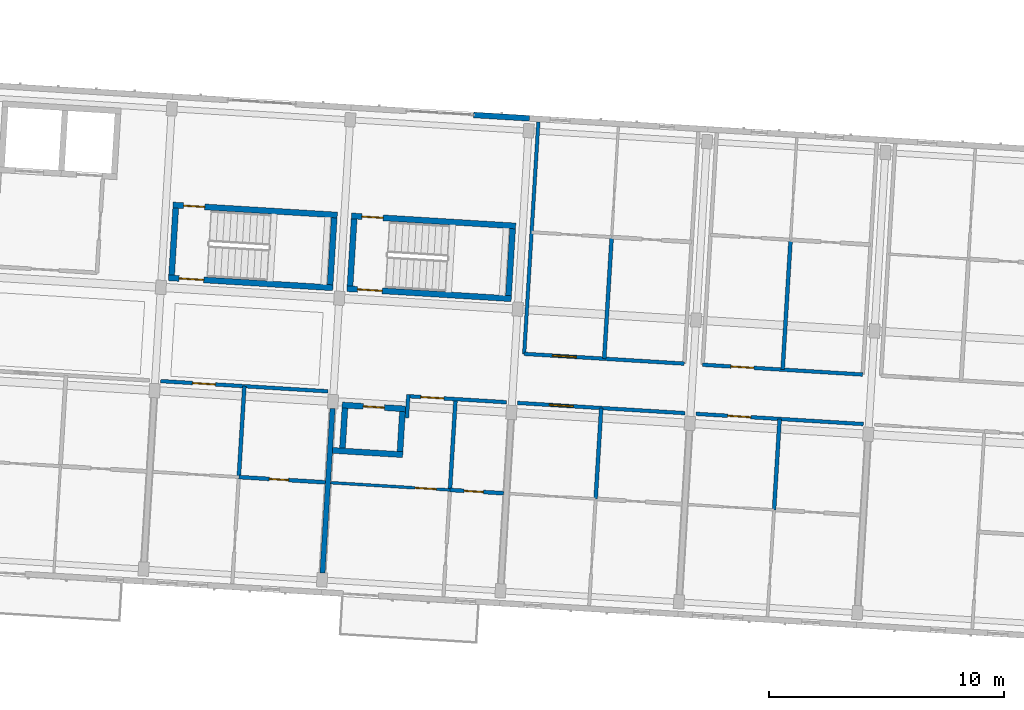
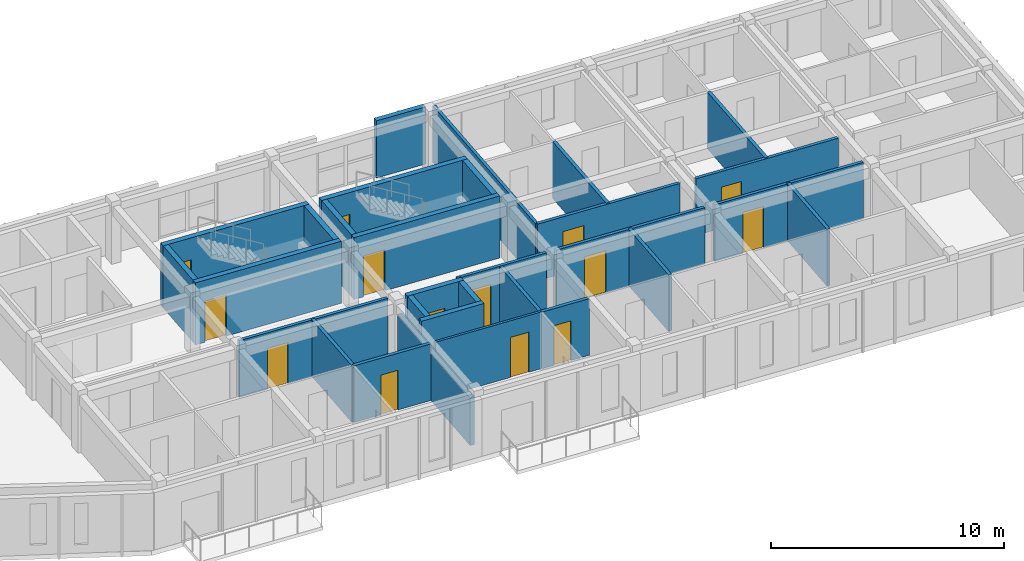
# One storey, part 25 of 65: 31 walls, 14 doors, 14 openings.
"""IFC4 building model written with IfcOpenShell, lengths in metres."""

from ifc_helpers import new_model, si_unit, direction, frame, frame_2d, origin, place, context, subcontext, project, spatial, rectangle, extrude, material, layer, layer_set, type_object, element, fill, save


model = new_model("IFC4")

# Units and contexts
model_context = context("Model", 3, precision=1e-05, world=origin(), true_north=direction((0.0, 1.0)))
body_context = subcontext(model_context, "Body", "Model", "MODEL_VIEW")
ifc_project = project(units=[si_unit("LENGTHUNIT", "METRE"), si_unit("AREAUNIT", "SQUARE_METRE"), si_unit("VOLUMEUNIT", "CUBIC_METRE"), si_unit("PLANEANGLEUNIT", "RADIAN"), si_unit("MASSUNIT", "GRAM", prefix="KILO")], contexts=[model_context])

# Site, building, storey
site_placement = place(None, origin())
site = spatial("IfcSite", under=ifc_project, at=site_placement, CompositionType="ELEMENT")
building_placement = place(site_placement, origin())
building = spatial("IfcBuilding", under=site, at=building_placement, Name="Kestramere Prow Commons", CompositionType="ELEMENT")
storey_placement = place(building_placement, frame((0.0, 0.0, 21.39990234375)))
storey = spatial("IfcBuildingStorey", under=building, at=storey_placement, Name="L06", CompositionType="ELEMENT", Elevation=21.39990234375)

# Wall
ifc_material_1 = material(Name="Fluoropolymer Standing-Seam Zinc-Aluminium Cladding", Category="aluminium")
ifc_layer_1 = layer(ifc_material_1, 0.239990234375)
ifc_layer_set_1 = layer_set([ifc_layer_1], Name="Fluoropolymer Standing-Seam Zinc-Aluminium Cladding")
wall_type_1 = type_object("IfcWallType", Name="EW-SEAM-240", PredefinedType="SOLIDWALL", material=ifc_layer_set_1)
wall_1_placement = place(storey_placement, frame((81.115478515625, 65.340576171875, 0.0), z_axis=(0.0, 0.0, 1.0), x_axis=(0.998134103342, -0.061059902923, 0.0)))
element("IfcWall", 1, at=wall_1_placement, inside=storey, type_object=wall_type_1, Name="Block C L06 North Standing-Seam Pier 3R", PredefinedType="SOLIDWALL", context=body_context, shape_type="SweptSolid", body=[
    extrude(rectangle(XDim=2.375, YDim=0.239990234375, at=frame_2d((1.1875, 0.0))), origin(), (0.0, 0.0, 1.0), 3.0),
])

# Wall, opening, door
ifc_material_2 = material(Name="Concrete C40/50", Category="concrete")
ifc_layer_2 = layer(ifc_material_2, 0.25)
ifc_layer_set_2 = layer_set([ifc_layer_2], Name="Concrete C40/50")
wall_type_2 = type_object("IfcWallType", Name="W-CORE-250", PredefinedType="SHEAR", material=ifc_layer_set_2)
wall_2_placement = place(storey_placement, frame((68.3330078125, 61.513671875, 0.0), z_axis=(0.0, 0.0, 1.0), x_axis=(0.998135676081, -0.061034188237, 0.0)))
wall_2 = element("IfcWall", 2, at=wall_2_placement, inside=storey, type_object=wall_type_2, Name="ST-C1 L06 North Shaft Wall", PredefinedType="SHEAR", context=body_context, shape_type="SweptSolid", body=[
    extrude(rectangle(XDim=7.0, YDim=0.25, at=frame_2d((3.5, 0.0))), origin(), (0.0, 0.0, 1.0), 3.25),
])
opening_1_placement = place(wall_2_placement, frame((0.449951171875, 0.0, 0.0)))
opening_1 = element("IfcOpeningElement", 3, at=opening_1_placement, cuts=wall_2, Name="Opening ID-08", PredefinedType="OPENING", context=body_context, shape_type="SweptSolid", body=[
    extrude(rectangle(XDim=0.89990234375, YDim=2.10009765625, at=frame_2d((0.449951171875, 1.050048828125))), frame((0.0, 0.139892578125, 0.0), z_axis=(0.0, -1.0, 0.0), x_axis=(1.0, 0.0, 0.0)), (0.0, 0.0, 1.0), 0.280029296875),
])
ifc_material_3 = material(Name="Engineered Timber Flush Door", Category="wood")
door_type_1 = type_object("IfcDoorType", Name="D-RM-01", OperationType="NOTDEFINED", PredefinedType="DOOR", material=ifc_material_3)
door_1_placement = place(opening_1_placement, origin())
door_1 = element("IfcDoor", 4, at=door_1_placement, inside=storey, type_object=door_type_1, Name="ST-C1 L06 North Room Door", OperationType="SINGLE_SWING_RIGHT", OverallHeight=2.10009765625, OverallWidth=0.89990234375, PredefinedType="DOOR", context=body_context, shape_type="SweptSolid", body=[
    extrude(rectangle(XDim=0.89990234375, YDim=2.10009765625, at=frame_2d((0.449951171875, 1.050048828125))), frame((0.0, 0.02490234375, 0.0), z_axis=(0.0, -1.0, 0.0), x_axis=(1.0, 0.0, 0.0)), (0.0, 0.0, 1.0), 0.050048828125),
])
fill(opening_1, door_1)

wall_3_placement = place(storey_placement, frame((68.143798828125, 58.41943359375, 0.0), z_axis=(0.0, 0.0, 1.0), x_axis=(0.998135546153, -0.061036313012, 0.0)))
wall_3 = element("IfcWall", 5, at=wall_3_placement, inside=storey, type_object=wall_type_2, Name="ST-C1 L06 Corridor Shaft Wall", PredefinedType="SHEAR", context=body_context, shape_type="SweptSolid", body=[
    extrude(rectangle(XDim=6.999755859375, YDim=0.25, at=frame_2d((3.5, 0.0))), origin(), (0.0, 0.0, 1.0), 3.25),
])
opening_2_placement = place(wall_3_placement, frame((0.449951171875, 0.0, 0.0)))
opening_2 = element("IfcOpeningElement", 6, at=opening_2_placement, cuts=wall_3, Name="Opening ID-01", PredefinedType="OPENING", context=body_context, shape_type="SweptSolid", body=[
    extrude(rectangle(XDim=1.050048828125, YDim=2.14990234375, at=frame_2d((0.52490234375, 1.074951171875))), frame((0.0, 0.139892578125, 0.0), z_axis=(0.0, -1.0, 0.0), x_axis=(1.0, 0.0, 0.0)), (0.0, 0.0, 1.0), 0.280029296875),
])
ifc_material_4 = material(Name="Fire-Rated Timber and Steel Frame", Category="steel")
door_type_2 = type_object("IfcDoorType", Name="FD-ST-01", OperationType="NOTDEFINED", PredefinedType="DOOR", material=ifc_material_4)
door_2_placement = place(opening_2_placement, origin())
door_2 = element("IfcDoor", 7, at=door_2_placement, inside=storey, type_object=door_type_2, Name="ST-C1 L06 Protected Stair Door", OperationType="SINGLE_SWING_LEFT", OverallHeight=2.14990234375, OverallWidth=1.050048828125, PredefinedType="DOOR", context=body_context, shape_type="SweptSolid", body=[
    extrude(rectangle(XDim=1.050048828125, YDim=2.14990234375, at=frame_2d((0.52490234375, 1.074951171875))), frame((0.0, 0.02490234375, 0.0), z_axis=(0.0, -1.0, 0.0), x_axis=(1.0, 0.0, 0.0)), (0.0, 0.0, 1.0), 0.050048828125),
])
fill(opening_2, door_2)

# Walls
for number, where, z_axis, x_axis, name in (
    (8, (68.276123046875, 58.53662109375, 0.0), (0.0, 0.0, 1.0), (0.06107697143, 0.998133059046, 0.0), "ST-C1 L06 Near Shaft Wall"),
    (9, (75.013671875, 58.12451171875, 0.0), (0.0, 0.0, 1.0), (0.060991628362, 0.99813827763, 0.0), "ST-C1 L06 Far Shaft Wall"),
):
    element("IfcWall", number, at=place(storey_placement, frame(where, z_axis=z_axis, x_axis=x_axis)), inside=storey, type_object=wall_type_2, Name=name, PredefinedType="SHEAR", context=body_context, shape_type="SweptSolid", body=[
        extrude(rectangle(XDim=2.85009765625, YDim=0.25, at=frame_2d((1.425048828125, 0.0))), origin(), (0.0, 0.0, 1.0), 3.25),
    ])

# Wall, opening, door
wall_4_placement = place(storey_placement, frame((75.9189453125, 61.0498046875, 0.0), z_axis=(0.0, 0.0, 1.0), x_axis=(0.998135546153, -0.061036313012, 0.0)))
wall_4 = element("IfcWall", 10, at=wall_4_placement, inside=storey, type_object=wall_type_2, Name="ST-C2 L06 North Shaft Wall", PredefinedType="SHEAR", context=body_context, shape_type="SweptSolid", body=[
    extrude(rectangle(XDim=6.999755859375, YDim=0.25, at=frame_2d((3.5, 0.0))), origin(), (0.0, 0.0, 1.0), 3.25),
])
opening_3_placement = place(wall_4_placement, frame((0.449951171875, 0.0, 0.0)))
opening_3 = element("IfcOpeningElement", 11, at=opening_3_placement, cuts=wall_4, Name="Opening ID-08", PredefinedType="OPENING", context=body_context, shape_type="SweptSolid", body=[
    extrude(rectangle(XDim=0.89990234375, YDim=2.10009765625, at=frame_2d((0.449951171875, 1.050048828125))), frame((0.0, 0.139892578125, 0.0), z_axis=(0.0, -1.0, 0.0), x_axis=(1.0, 0.0, 0.0)), (0.0, 0.0, 1.0), 0.280029296875),
])
door_3_placement = place(opening_3_placement, origin())
door_3 = element("IfcDoor", 12, at=door_3_placement, inside=storey, type_object=door_type_1, Name="ST-C2 L06 North Room Door", OperationType="SINGLE_SWING_RIGHT", OverallHeight=2.10009765625, OverallWidth=0.89990234375, PredefinedType="DOOR", context=body_context, shape_type="SweptSolid", body=[
    extrude(rectangle(XDim=0.89990234375, YDim=2.10009765625, at=frame_2d((0.449951171875, 1.050048828125))), frame((0.0, 0.02490234375, 0.0), z_axis=(0.0, -1.0, 0.0), x_axis=(1.0, 0.0, 0.0)), (0.0, 0.0, 1.0), 0.050048828125),
])
fill(opening_3, door_3)

wall_5_placement = place(storey_placement, frame((75.729736328125, 57.95556640625, 0.0), z_axis=(0.0, 0.0, 1.0), x_axis=(0.998135546153, -0.061036313012, 0.0)))
wall_5 = element("IfcWall", 13, at=wall_5_placement, inside=storey, type_object=wall_type_2, Name="ST-C2 L06 Corridor Shaft Wall", PredefinedType="SHEAR", context=body_context, shape_type="SweptSolid", body=[
    extrude(rectangle(XDim=6.999755859375, YDim=0.25, at=frame_2d((3.5, 0.0))), origin(), (0.0, 0.0, 1.0), 3.25),
])
opening_4_placement = place(wall_5_placement, frame((0.449951171875, 0.0, 0.0)))
opening_4 = element("IfcOpeningElement", 14, at=opening_4_placement, cuts=wall_5, Name="Opening ID-01", PredefinedType="OPENING", context=body_context, shape_type="SweptSolid", body=[
    extrude(rectangle(XDim=1.050048828125, YDim=2.14990234375, at=frame_2d((0.52490234375, 1.074951171875))), frame((0.0, 0.139892578125, 0.0), z_axis=(0.0, -1.0, 0.0), x_axis=(1.0, 0.0, 0.0)), (0.0, 0.0, 1.0), 0.280029296875),
])
door_4_placement = place(opening_4_placement, origin())
door_4 = element("IfcDoor", 15, at=door_4_placement, inside=storey, type_object=door_type_2, Name="ST-C2 L06 Protected Stair Door", OperationType="SINGLE_SWING_LEFT", OverallHeight=2.14990234375, OverallWidth=1.050048828125, PredefinedType="DOOR", context=body_context, shape_type="SweptSolid", body=[
    extrude(rectangle(XDim=1.050048828125, YDim=2.14990234375, at=frame_2d((0.52490234375, 1.074951171875))), frame((0.0, 0.02490234375, 0.0), z_axis=(0.0, -1.0, 0.0), x_axis=(1.0, 0.0, 0.0)), (0.0, 0.0, 1.0), 0.050048828125),
])
fill(opening_4, door_4)

# Walls
for number, where, z_axis, x_axis, name in (
    (16, (75.862060546875, 58.07275390625, 0.0), (0.0, 0.0, 1.0), (0.060991628362, 0.99813827763, 0.0), "ST-C2 L06 Near Shaft Wall"),
    (17, (82.599365234375, 57.66064453125, 0.0), (0.0, 0.0, 1.0), (0.06107697143, 0.998133059046, 0.0), "ST-C2 L06 Far Shaft Wall"),
):
    element("IfcWall", number, at=place(storey_placement, frame(where, z_axis=z_axis, x_axis=x_axis)), inside=storey, type_object=wall_type_2, Name=name, PredefinedType="SHEAR", context=body_context, shape_type="SweptSolid", body=[
        extrude(rectangle(XDim=2.85009765625, YDim=0.25, at=frame_2d((1.425048828125, 0.0))), origin(), (0.0, 0.0, 1.0), 3.25),
    ])

# Wall, opening, door
ifc_material_5 = material(Name="Fire-Rated Calcium Silicate Wall")
ifc_layer_3 = layer(ifc_material_5, 0.155029296875)
ifc_layer_set_3 = layer_set([ifc_layer_3], Name="Fire-Rated Calcium Silicate Wall")
wall_type_3 = type_object("IfcWallType", Name="W-FIRE-150", PredefinedType="PARTITIONING", material=ifc_layer_set_3)
wall_6_placement = place(storey_placement, frame((67.81005859375, 54.026611328125, 0.0), z_axis=(0.0, 0.0, 1.0), x_axis=(0.998136655722, -0.061018165369, 0.0)))
wall_6 = element("IfcWall", 18, at=wall_6_placement, inside=storey, type_object=wall_type_3, Name="Interior Partition PW-C-L06-CS-1", PredefinedType="PARTITIONING", context=body_context, shape_type="SweptSolid", body=[
    extrude(rectangle(XDim=7.1298828125, YDim=0.155029296875, at=frame_2d((3.56494140625, 0.0))), origin(), (0.0, 0.0, 1.0), 2.97021484375),
])
opening_5_placement = place(wall_6_placement, frame((1.35498046875, 0.0, 0.0)))
opening_5 = element("IfcOpeningElement", 19, at=opening_5_placement, cuts=wall_6, Name="Opening ID-04", PredefinedType="OPENING", context=body_context, shape_type="SweptSolid", body=[
    extrude(rectangle(XDim=0.97998046875, YDim=2.14990234375, at=frame_2d((0.489990234375, 1.074951171875))), frame((0.0, 0.092529296875, 0.0), z_axis=(0.0, -1.0, 0.0), x_axis=(1.0, 0.0, 0.0)), (0.0, 0.0, 1.0), 0.18505859375),
])
ifc_material_6 = material(Name="Hardwood Fire-Rated Flat Entrance Door", Category="wood")
door_type_3 = type_object("IfcDoorType", Name="FD-ENT-01", OperationType="NOTDEFINED", PredefinedType="DOOR", material=ifc_material_6)
door_5_placement = place(opening_5_placement, origin())
door_5 = element("IfcDoor", 20, at=door_5_placement, inside=storey, type_object=door_type_3, Name="Interior Door DR-C-L06-ENT-S1", OperationType="SINGLE_SWING_RIGHT", OverallHeight=2.14990234375, OverallWidth=0.97998046875, PredefinedType="DOOR", context=body_context, shape_type="SweptSolid", body=[
    extrude(rectangle(XDim=0.97998046875, YDim=2.14990234375, at=frame_2d((0.489990234375, 1.074951171875))), frame((0.0, 0.02490234375, 0.0), z_axis=(0.0, -1.0, 0.0), x_axis=(1.0, 0.0, 0.0)), (0.0, 0.0, 1.0), 0.050048828125),
])
fill(opening_5, door_5)

# Wall
wall_7_placement = place(storey_placement, frame((78.279052734375, 52.464599609375, 0.0), z_axis=(0.0, 0.0, 1.0), x_axis=(0.061095097219, 0.998131949742, 0.0)))
element("IfcWall", 21, at=wall_7_placement, inside=storey, type_object=wall_type_3, Name="Interior Partition PW-C-L06-HS-CLOSER", PredefinedType="PARTITIONING", context=body_context, shape_type="SweptSolid", body=[
    extrude(rectangle(XDim=0.9951171875, YDim=0.155029296875, at=frame_2d((0.49755859375, 0.0))), origin(), (0.0, 0.0, 1.0), 2.97021484375),
])

# Wall, opening, door
wall_8_placement = place(storey_placement, frame((78.415283203125, 53.378173828125, 0.0), z_axis=(0.0, 0.0, 1.0), x_axis=(0.998132736029, -0.061082250024, 0.0)))
wall_8 = element("IfcWall", 22, at=wall_8_placement, inside=storey, type_object=wall_type_3, Name="Interior Partition PW-C-L06-CS-2", PredefinedType="PARTITIONING", context=body_context, shape_type="SweptSolid", body=[
    extrude(rectangle(XDim=4.104736328125, YDim=0.155029296875, at=frame_2d((2.05224609375, 0.0))), origin(), (0.0, 0.0, 1.0), 2.97021484375),
])
opening_6_placement = place(wall_8_placement, frame((0.45703125, 0.0, 0.0)))
opening_6 = element("IfcOpeningElement", 23, at=opening_6_placement, cuts=wall_8, Name="Opening ID-04", PredefinedType="OPENING", context=body_context, shape_type="SweptSolid", body=[
    extrude(rectangle(XDim=0.97998046875, YDim=2.14990234375, at=frame_2d((0.489990234375, 1.074951171875))), frame((0.0, 0.092529296875, 0.0), z_axis=(0.0, -1.0, 0.0), x_axis=(1.0, 0.0, 0.0)), (0.0, 0.0, 1.0), 0.18505859375),
])
door_6_placement = place(opening_6_placement, origin())
door_6 = element("IfcDoor", 24, at=door_6_placement, inside=storey, type_object=door_type_3, Name="Interior Door DR-C-L06-ENT-S2", OperationType="SINGLE_SWING_LEFT", OverallHeight=2.14990234375, OverallWidth=0.97998046875, PredefinedType="DOOR", context=body_context, shape_type="SweptSolid", body=[
    extrude(rectangle(XDim=0.97998046875, YDim=2.14990234375, at=frame_2d((0.489990234375, 1.074951171875))), frame((0.0, 0.02490234375, 0.0), z_axis=(0.0, -1.0, 0.0), x_axis=(1.0, 0.0, 0.0)), (0.0, 0.0, 1.0), 0.050048828125),
])
fill(opening_6, door_6)

wall_9_placement = place(storey_placement, frame((82.981689453125, 53.098876953125, 0.0), z_axis=(0.0, 0.0, 1.0), x_axis=(0.998134569689, -0.061052279168, 0.0)))
wall_9 = element("IfcWall", 25, at=wall_9_placement, inside=storey, type_object=wall_type_3, Name="Interior Partition PW-C-L06-CS-3", PredefinedType="PARTITIONING", context=body_context, shape_type="SweptSolid", body=[
    extrude(rectangle(XDim=7.1298828125, YDim=0.155029296875, at=frame_2d((3.56494140625, 0.0))), origin(), (0.0, 0.0, 1.0), 2.97021484375),
])
opening_7_placement = place(wall_9_placement, frame((1.35498046875, 0.0, 0.0)))
opening_7 = element("IfcOpeningElement", 26, at=opening_7_placement, cuts=wall_9, Name="Opening ID-05", PredefinedType="OPENING", context=body_context, shape_type="SweptSolid", body=[
    extrude(rectangle(XDim=1.02001953125, YDim=2.199951171875, at=frame_2d((0.510009765625, 1.10009765625))), frame((0.0, 0.092529296875, 0.0), z_axis=(0.0, -1.0, 0.0), x_axis=(1.0, 0.0, 0.0)), (0.0, 0.0, 1.0), 0.18505859375),
])
door_type_4 = type_object("IfcDoorType", Name="FD-ENT-02", OperationType="NOTDEFINED", PredefinedType="DOOR", material=ifc_material_6)
door_7_placement = place(opening_7_placement, origin())
door_7 = element("IfcDoor", 27, at=door_7_placement, inside=storey, type_object=door_type_4, Name="Interior Door DR-C-L06-ENT-S3", OperationType="SINGLE_SWING_RIGHT", OverallHeight=2.199951171875, OverallWidth=1.02001953125, PredefinedType="DOOR", context=body_context, shape_type="SweptSolid", body=[
    extrude(rectangle(XDim=1.02001953125, YDim=2.199951171875, at=frame_2d((0.510009765625, 1.10009765625))), frame((0.0, 0.02490234375, 0.0), z_axis=(0.0, -1.0, 0.0), x_axis=(1.0, 0.0, 0.0)), (0.0, 0.0, 1.0), 0.050048828125),
])
fill(opening_7, door_7)

wall_10_placement = place(storey_placement, frame((90.5673828125, 52.634765625, 0.0), z_axis=(0.0, 0.0, 1.0), x_axis=(0.998134569689, -0.061052279168, 0.0)))
wall_10 = element("IfcWall", 28, at=wall_10_placement, inside=storey, type_object=wall_type_3, Name="Interior Partition PW-C-L06-CS-4", PredefinedType="PARTITIONING", context=body_context, shape_type="SweptSolid", body=[
    extrude(rectangle(XDim=7.1298828125, YDim=0.155029296875, at=frame_2d((3.56494140625, 0.0))), origin(), (0.0, 0.0, 1.0), 2.97021484375),
])
opening_8_placement = place(wall_10_placement, frame((1.35498046875, 0.0, 0.0)))
opening_8 = element("IfcOpeningElement", 29, at=opening_8_placement, cuts=wall_10, Name="Opening ID-04", PredefinedType="OPENING", context=body_context, shape_type="SweptSolid", body=[
    extrude(rectangle(XDim=0.97998046875, YDim=2.14990234375, at=frame_2d((0.489990234375, 1.074951171875))), frame((0.0, 0.092529296875, 0.0), z_axis=(0.0, -1.0, 0.0), x_axis=(1.0, 0.0, 0.0)), (0.0, 0.0, 1.0), 0.18505859375),
])
door_8_placement = place(opening_8_placement, origin())
door_8 = element("IfcDoor", 30, at=door_8_placement, inside=storey, type_object=door_type_3, Name="Interior Door DR-C-L06-ENT-S4", OperationType="SINGLE_SWING_LEFT", OverallHeight=2.14990234375, OverallWidth=0.97998046875, PredefinedType="DOOR", context=body_context, shape_type="SweptSolid", body=[
    extrude(rectangle(XDim=0.97998046875, YDim=2.14990234375, at=frame_2d((0.489990234375, 1.074951171875))), frame((0.0, 0.02490234375, 0.0), z_axis=(0.0, -1.0, 0.0), x_axis=(1.0, 0.0, 0.0)), (0.0, 0.0, 1.0), 0.050048828125),
])
fill(opening_8, door_8)

wall_11_placement = place(storey_placement, frame((83.2646484375, 55.185302734375, 0.0), z_axis=(0.0, 0.0, 1.0), x_axis=(0.998135531673, -0.061036549799, 0.0)))
wall_11 = element("IfcWall", 31, at=wall_11_placement, inside=storey, type_object=wall_type_3, Name="Interior Partition PW-C-L06-CN-3", PredefinedType="PARTITIONING", context=body_context, shape_type="SweptSolid", body=[
    extrude(rectangle(XDim=6.81982421875, YDim=0.155029296875, at=frame_2d((3.409912109375, 0.0))), origin(), (0.0, 0.0, 1.0), 2.97021484375),
])
opening_9_placement = place(wall_11_placement, frame((1.205078125, 0.0, 0.0)))
opening_9 = element("IfcOpeningElement", 32, at=opening_9_placement, cuts=wall_11, Name="Opening ID-05", PredefinedType="OPENING", context=body_context, shape_type="SweptSolid", body=[
    extrude(rectangle(XDim=1.02001953125, YDim=2.199951171875, at=frame_2d((0.510009765625, 1.10009765625))), frame((0.0, 0.092529296875, 0.0), z_axis=(0.0, -1.0, 0.0), x_axis=(1.0, 0.0, 0.0)), (0.0, 0.0, 1.0), 0.18505859375),
])
door_9_placement = place(opening_9_placement, origin())
door_9 = element("IfcDoor", 33, at=door_9_placement, inside=storey, type_object=door_type_4, Name="Interior Door DR-C-L06-ENT-N3", OperationType="SINGLE_SWING_RIGHT", OverallHeight=2.199951171875, OverallWidth=1.02001953125, PredefinedType="DOOR", context=body_context, shape_type="SweptSolid", body=[
    extrude(rectangle(XDim=1.02001953125, YDim=2.199951171875, at=frame_2d((0.510009765625, 1.10009765625))), frame((0.0, 0.02490234375, 0.0), z_axis=(0.0, -1.0, 0.0), x_axis=(1.0, 0.0, 0.0)), (0.0, 0.0, 1.0), 0.050048828125),
])
fill(opening_9, door_9)

wall_12_placement = place(storey_placement, frame((90.850341796875, 54.721435546875, 0.0), z_axis=(0.0, 0.0, 1.0), x_axis=(0.998135665032, -0.06103436893, 0.0)))
wall_12 = element("IfcWall", 34, at=wall_12_placement, inside=storey, type_object=wall_type_3, Name="Interior Partition PW-C-L06-CN-4", PredefinedType="PARTITIONING", context=body_context, shape_type="SweptSolid", body=[
    extrude(rectangle(XDim=6.820068359375, YDim=0.155029296875, at=frame_2d((3.41015625, 0.0))), origin(), (0.0, 0.0, 1.0), 2.97021484375),
])
opening_10_placement = place(wall_12_placement, frame((1.205078125, 0.0, 0.0)))
opening_10 = element("IfcOpeningElement", 35, at=opening_10_placement, cuts=wall_12, Name="Opening ID-04", PredefinedType="OPENING", context=body_context, shape_type="SweptSolid", body=[
    extrude(rectangle(XDim=0.97998046875, YDim=2.14990234375, at=frame_2d((0.489990234375, 1.074951171875))), frame((0.0, 0.092529296875, 0.0), z_axis=(0.0, -1.0, 0.0), x_axis=(1.0, 0.0, 0.0)), (0.0, 0.0, 1.0), 0.18505859375),
])
door_10_placement = place(opening_10_placement, origin())
door_10 = element("IfcDoor", 36, at=door_10_placement, inside=storey, type_object=door_type_3, Name="Interior Door DR-C-L06-ENT-N4", OperationType="SINGLE_SWING_LEFT", OverallHeight=2.14990234375, OverallWidth=0.97998046875, PredefinedType="DOOR", context=body_context, shape_type="SweptSolid", body=[
    extrude(rectangle(XDim=0.97998046875, YDim=2.14990234375, at=frame_2d((0.489990234375, 1.074951171875))), frame((0.0, 0.02490234375, 0.0), z_axis=(0.0, -1.0, 0.0), x_axis=(1.0, 0.0, 0.0)), (0.0, 0.0, 1.0), 0.050048828125),
])
fill(opening_10, door_10)

# Wall
ifc_layer_4 = layer(ifc_material_2, 0.25)
ifc_layer_set_4 = layer_set([ifc_layer_4], Name="Concrete C40/50")
wall_type_4 = type_object("IfcWallType", Name="W-HS-250", PredefinedType="SHEAR", material=ifc_layer_set_4)
wall_13_placement = place(storey_placement, frame((75.11865234375, 51.080078125, 0.0), z_axis=(0.0, 0.0, 1.0), x_axis=(0.998133370443, -0.061071882298, 0.0)))
element("IfcWall", 37, at=wall_13_placement, inside=storey, type_object=wall_type_4, Name="Block C L06 Household Shelter South Wall", PredefinedType="SHEAR", context=body_context, shape_type="SweptSolid", body=[
    extrude(rectangle(XDim=2.990234375, YDim=0.25, at=frame_2d((1.4951171875, 0.0))), origin(), (0.0, 0.0, 1.0), 3.25),
])

# Wall, opening, door
wall_14_placement = place(storey_placement, frame((75.52734375, 53.0087890625, 0.0), z_axis=(0.0, 0.0, 1.0), x_axis=(0.998129907752, -0.061128448781, 0.0)))
wall_14 = element("IfcWall", 38, at=wall_14_placement, inside=storey, type_object=wall_type_4, Name="Block C L06 Household Shelter North Wall", PredefinedType="SHEAR", context=body_context, shape_type="SweptSolid", body=[
    extrude(rectangle(XDim=2.699951171875, YDim=0.25, at=frame_2d((1.35009765625, 0.0))), origin(), (0.0, 0.0, 1.0), 3.25),
])
opening_11_placement = place(wall_14_placement, frame((0.89990234375, 0.0, 0.0)))
opening_11 = element("IfcOpeningElement", 39, at=opening_11_placement, cuts=wall_14, Name="Opening ID-06", PredefinedType="OPENING", context=body_context, shape_type="SweptSolid", body=[
    extrude(rectangle(XDim=0.89990234375, YDim=2.050048828125, at=frame_2d((0.449951171875, 1.02490234375))), frame((0.0, 0.139892578125, 0.0), z_axis=(0.0, -1.0, 0.0), x_axis=(1.0, 0.0, 0.0)), (0.0, 0.0, 1.0), 0.280029296875),
])
ifc_material_7 = material(Name="Galvanised Steel S275JR Household Shelter Door", Category="steel")
door_type_5 = type_object("IfcDoorType", Name="FD-HS-01", OperationType="NOTDEFINED", PredefinedType="DOOR", material=ifc_material_7)
door_11_placement = place(opening_11_placement, origin())
door_11 = element("IfcDoor", 40, at=door_11_placement, inside=storey, type_object=door_type_5, Name="Block C L06 Household Shelter Blast Door", OperationType="SINGLE_SWING_RIGHT", OverallHeight=2.050048828125, OverallWidth=0.89990234375, PredefinedType="DOOR", context=body_context, shape_type="SweptSolid", body=[
    extrude(rectangle(XDim=0.89990234375, YDim=2.050048828125, at=frame_2d((0.449951171875, 1.02490234375))), frame((0.0, 0.02490234375, 0.0), z_axis=(0.0, -1.0, 0.0), x_axis=(1.0, 0.0, 0.0)), (0.0, 0.0, 1.0), 0.050048828125),
])
fill(opening_11, door_11)

# Walls
wall_15_placement = place(storey_placement, frame((75.54052734375, 51.179443359375, 0.0), z_axis=(0.0, 0.0, 1.0), x_axis=(0.061037062968, 0.998135500293, 0.0)))
element("IfcWall", 41, at=wall_15_placement, inside=storey, type_object=wall_type_4, Name="Block C L06 Household Shelter W Wall", PredefinedType="SHEAR", context=body_context, shape_type="SweptSolid", body=[
    extrude(rectangle(XDim=1.699951171875, YDim=0.25, at=frame_2d((0.85009765625, 0.0))), origin(), (0.0, 0.0, 1.0), 3.25),
])
wall_16_placement = place(storey_placement, frame((77.986083984375, 51.02978515625, 0.0), z_axis=(0.0, 0.0, 1.0), x_axis=(0.061028314627, 0.998136035225, 0.0)))
element("IfcWall", 42, at=wall_16_placement, inside=storey, type_object=wall_type_4, Name="Block C L06 Household Shelter E Wall", PredefinedType="SHEAR", context=body_context, shape_type="SweptSolid", body=[
    extrude(rectangle(XDim=1.7001953125, YDim=0.25, at=frame_2d((0.85009765625, 0.0))), origin(), (0.0, 0.0, 1.0), 3.25),
])

# Wall, opening, door
ifc_material_8 = material(Name="Lightweight Blockwork and Plaster", Category="masonry")
ifc_layer_5 = layer(ifc_material_8, 0.1201171875)
ifc_layer_set_5 = layer_set([ifc_layer_5], Name="Lightweight Blockwork and Plaster")
wall_type_5 = type_object("IfcWallType", Name="W-PART-120", PredefinedType="PARTITIONING", material=ifc_layer_set_5)
wall_17_placement = place(storey_placement, frame((75.039794921875, 49.707275390625, 0.0), z_axis=(0.0, 0.0, 1.0), x_axis=(0.998135637207, -0.061034823981, 0.0)))
wall_17 = element("IfcWall", 43, at=wall_17_placement, inside=storey, type_object=wall_type_5, Name="Interior Partition PW-C-L06-MIDS1-2", PredefinedType="PARTITIONING", context=body_context, shape_type="SweptSolid", body=[
    extrude(rectangle(XDim=5.080078125, YDim=0.1201171875, at=frame_2d((2.5400390625, 0.0))), origin(), (0.0, 0.0, 1.0), 2.97021484375),
])
opening_12_placement = place(wall_17_placement, frame((3.594970703125, 0.0, 0.0)))
opening_12 = element("IfcOpeningElement", 44, at=opening_12_placement, cuts=wall_17, Name="Opening ID-08", PredefinedType="OPENING", context=body_context, shape_type="SweptSolid", body=[
    extrude(rectangle(XDim=0.89990234375, YDim=2.10009765625, at=frame_2d((0.449951171875, 1.050048828125))), frame((0.0, 0.074951171875, 0.0), z_axis=(0.0, -1.0, 0.0), x_axis=(1.0, 0.0, 0.0)), (0.0, 0.0, 1.0), 0.150146484375),
])
door_12_placement = place(opening_12_placement, origin())
door_12 = element("IfcDoor", 45, at=door_12_placement, inside=storey, type_object=door_type_1, Name="Interior Door DR-C-L06-KL-S2", OperationType="SINGLE_SWING_RIGHT", OverallHeight=2.10009765625, OverallWidth=0.89990234375, PredefinedType="DOOR", context=body_context, shape_type="SweptSolid", body=[
    extrude(rectangle(XDim=0.89990234375, YDim=2.10009765625, at=frame_2d((0.449951171875, 1.050048828125))), frame((0.0, 0.02490234375, 0.0), z_axis=(0.0, -1.0, 0.0), x_axis=(1.0, 0.0, 0.0)), (0.0, 0.0, 1.0), 0.050048828125),
])
fill(opening_12, door_12)

# Wall
ifc_material_9 = material(Name="Masonry Compartment Wall", Category="masonry")
ifc_layer_6 = layer(ifc_material_9, 0.14990234375)
ifc_layer_set_6 = layer_set([ifc_layer_6], Name="Masonry Compartment Wall")
wall_type_6 = type_object("IfcWallType", Name="W-PART-150", PredefinedType="PARTITIONING", material=ifc_layer_set_6)
wall_18_placement = place(storey_placement, frame((83.2646484375, 55.185302734375, 0.0), z_axis=(0.0, 0.0, 1.0), x_axis=(0.061046193261, 0.998134941923, 0.0)))
element("IfcWall", 46, at=wall_18_placement, inside=storey, type_object=wall_type_6, Name="Interior Partition PW-C-L06-NWL-3", PredefinedType="PARTITIONING", context=body_context, shape_type="SweptSolid", body=[
    extrude(rectangle(XDim=9.8701171875, YDim=0.14990234375, at=frame_2d((4.93505859375, 0.0))), origin(), (0.0, 0.0, 1.0), 2.97021484375),
])

# Wall, opening, door
ifc_material_10 = material(Name="Waterproof Sanitary Masonry Wall", Category="masonry")
ifc_layer_7 = layer(ifc_material_10, 0.1650390625)
ifc_layer_set_7 = layer_set([ifc_layer_7], Name="Waterproof Sanitary Masonry Wall")
wall_type_7 = type_object("IfcWallType", Name="W-PLUMB-150", PredefinedType="PLUMBINGWALL", material=ifc_layer_set_7)
wall_19_placement = place(storey_placement, frame((71.132080078125, 49.9462890625, 0.0), z_axis=(0.0, 0.0, 1.0), x_axis=(0.998136719672, -0.061017119263, 0.0)))
wall_19 = element("IfcWall", 47, at=wall_19_placement, inside=storey, type_object=wall_type_7, Name="Interior Partition PW-C-L06-MIDS2-1", PredefinedType="PLUMBINGWALL", context=body_context, shape_type="SweptSolid", body=[
    extrude(rectangle(XDim=3.68505859375, YDim=0.1650390625, at=frame_2d((1.842529296875, 0.0))), origin(), (0.0, 0.0, 1.0), 2.97021484375),
])
opening_13_placement = place(wall_19_placement, frame((1.300048828125, 0.0, 0.0)))
opening_13 = element("IfcOpeningElement", 48, at=opening_13_placement, cuts=wall_19, Name="Opening ID-11", PredefinedType="OPENING", context=body_context, shape_type="SweptSolid", body=[
    extrude(rectangle(XDim=0.820068359375, YDim=2.080078125, at=frame_2d((0.41015625, 1.0400390625))), frame((0.0, 0.097412109375, 0.0), z_axis=(0.0, -1.0, 0.0), x_axis=(1.0, 0.0, 0.0)), (0.0, 0.0, 1.0), 0.195068359375),
])
ifc_material_11 = material(Name="Moisture-Resistant Timber Bathroom Door", Category="wood")
door_type_6 = type_object("IfcDoorType", Name="D-BT-01", OperationType="NOTDEFINED", PredefinedType="DOOR", material=ifc_material_11)
door_13_placement = place(opening_13_placement, origin())
door_13 = element("IfcDoor", 49, at=door_13_placement, inside=storey, type_object=door_type_6, Name="Interior Door DR-C-L06-BTH-S1", OperationType="SINGLE_SWING_LEFT", OverallHeight=2.080078125, OverallWidth=0.820068359375, PredefinedType="DOOR", context=body_context, shape_type="SweptSolid", body=[
    extrude(rectangle(XDim=0.820068359375, YDim=2.080078125, at=frame_2d((0.41015625, 1.0400390625))), frame((0.0, 0.02490234375, 0.0), z_axis=(0.0, -1.0, 0.0), x_axis=(1.0, 0.0, 0.0)), (0.0, 0.0, 1.0), 0.050048828125),
])
fill(opening_13, door_13)

# Wall
wall_20_placement = place(storey_placement, frame((71.132080078125, 49.9462890625, 0.0), z_axis=(0.0, 0.0, 1.0), x_axis=(0.061066453301, 0.998133702608, 0.0)))
element("IfcWall", 50, at=wall_20_placement, inside=storey, type_object=wall_type_7, Name="Interior Partition PW-C-L06-KB-S1", PredefinedType="PLUMBINGWALL", context=body_context, shape_type="SweptSolid", body=[
    extrude(rectangle(XDim=3.8701171875, YDim=0.1650390625, at=frame_2d((1.93505859375, 0.0))), origin(), (0.0, 0.0, 1.0), 2.97021484375),
])

# Wall, opening, door
wall_21_placement = place(storey_placement, frame((80.1103515625, 49.397216796875, 0.0), z_axis=(0.0, 0.0, 1.0), x_axis=(0.99813222782, -0.061090553999, 0.0)))
wall_21 = element("IfcWall", 51, at=wall_21_placement, inside=storey, type_object=wall_type_7, Name="Interior Partition PW-C-L06-MIDS2-2", PredefinedType="PLUMBINGWALL", context=body_context, shape_type="SweptSolid", body=[
    extrude(rectangle(XDim=2.2900390625, YDim=0.1650390625, at=frame_2d((1.14501953125, 0.0))), origin(), (0.0, 0.0, 1.0), 2.97021484375),
])
opening_14_placement = place(wall_21_placement, frame((0.60302734375, 0.0, 0.0)))
opening_14 = element("IfcOpeningElement", 52, at=opening_14_placement, cuts=wall_21, Name="Opening ID-11", PredefinedType="OPENING", context=body_context, shape_type="SweptSolid", body=[
    extrude(rectangle(XDim=0.820068359375, YDim=2.080078125, at=frame_2d((0.41015625, 1.0400390625))), frame((0.0, 0.097412109375, 0.0), z_axis=(0.0, -1.0, 0.0), x_axis=(1.0, 0.0, 0.0)), (0.0, 0.0, 1.0), 0.195068359375),
])
door_14_placement = place(opening_14_placement, origin())
door_14 = element("IfcDoor", 53, at=door_14_placement, inside=storey, type_object=door_type_6, Name="Interior Door DR-C-L06-BTH-S2", OperationType="SINGLE_SWING_LEFT", OverallHeight=2.080078125, OverallWidth=0.820068359375, PredefinedType="DOOR", context=body_context, shape_type="SweptSolid", body=[
    extrude(rectangle(XDim=0.820068359375, YDim=2.080078125, at=frame_2d((0.41015625, 1.0400390625))), frame((0.0, 0.02490234375, 0.0), z_axis=(0.0, -1.0, 0.0), x_axis=(1.0, 0.0, 0.0)), (0.0, 0.0, 1.0), 0.050048828125),
])
fill(opening_14, door_14)

# Walls
for number, where, z_axis, x_axis, name in (
    (54, (80.1103515625, 49.397216796875, 0.0), (0.0, 0.0, 1.0), (0.061066453301, 0.998133702608, 0.0), "Interior Partition PW-C-L06-KB-S2"),
    (55, (86.3037109375, 49.018310546875, 0.0), (0.0, 0.0, 1.0), (0.061066453301, 0.998133702608, 0.0), "Interior Partition PW-C-L06-KB-S3"),
    (56, (93.8896484375, 48.554443359375, 0.0), (0.0, 0.0, 1.0), (0.06100360301, 0.998137545842, 0.0), "Interior Partition PW-C-L06-KB-S4"),
):
    element("IfcWall", number, at=place(storey_placement, frame(where, z_axis=z_axis, x_axis=x_axis)), inside=storey, type_object=wall_type_7, Name=name, PredefinedType="PLUMBINGWALL", context=body_context, shape_type="SweptSolid", body=[
        extrude(rectangle(XDim=3.8701171875, YDim=0.1650390625, at=frame_2d((1.93505859375, 0.0))), origin(), (0.0, 0.0, 1.0), 2.97021484375),
    ])
wall_22_placement = place(storey_placement, frame((86.668212890625, 54.977294921875, 0.0), z_axis=(0.0, 0.0, 1.0), x_axis=(0.061037231879, 0.998135489963, 0.0)))
element("IfcWall", 57, at=wall_22_placement, inside=storey, type_object=wall_type_7, Name="Interior Partition PW-C-L06-KB-N3", PredefinedType="PLUMBINGWALL", context=body_context, shape_type="SweptSolid", body=[
    extrude(rectangle(XDim=5.179931640625, YDim=0.1650390625, at=frame_2d((2.58984375, 0.0))), origin(), (0.0, 0.0, 1.0), 2.97021484375),
])
wall_23_placement = place(storey_placement, frame((94.25390625, 54.51318359375, 0.0), z_axis=(0.0, 0.0, 1.0), x_axis=(0.061056206715, 0.998134329447, 0.0)))
element("IfcWall", 58, at=wall_23_placement, inside=storey, type_object=wall_type_7, Name="Interior Partition PW-C-L06-KB-N4", PredefinedType="PLUMBINGWALL", context=body_context, shape_type="SweptSolid", body=[
    extrude(rectangle(XDim=5.530029296875, YDim=0.1650390625, at=frame_2d((2.76513671875, 0.0))), origin(), (0.0, 0.0, 1.0), 2.97021484375),
])
ifc_material_12 = material(Name="Precast concrete C40/50", Category="concrete")
ifc_layer_8 = layer(ifc_material_12, 0.219970703125)
ifc_layer_set_8 = layer_set([ifc_layer_8], Name="Precast concrete C40/50")
wall_type_8 = type_object("IfcWallType", Name="W-XWALL-220", PredefinedType="SHEAR", material=ifc_layer_set_8)
wall_24_placement = place(storey_placement, frame((74.68994140625, 45.87158203125, 0.0), z_axis=(0.0, 0.0, 1.0), x_axis=(0.061036313012, 0.998135546153, 0.0)))
element("IfcWall", 59, at=wall_24_placement, inside=storey, type_object=wall_type_8, Name="Block C L06 Precast Cross-Wall 2", PredefinedType="SHEAR", context=body_context, shape_type="SweptSolid", body=[
    extrude(rectangle(XDim=6.999755859375, YDim=0.219970703125, at=frame_2d((3.5, 0.0))), origin(), (0.0, 0.0, 1.0), 2.5),
])

save(model, "model.ifc")
